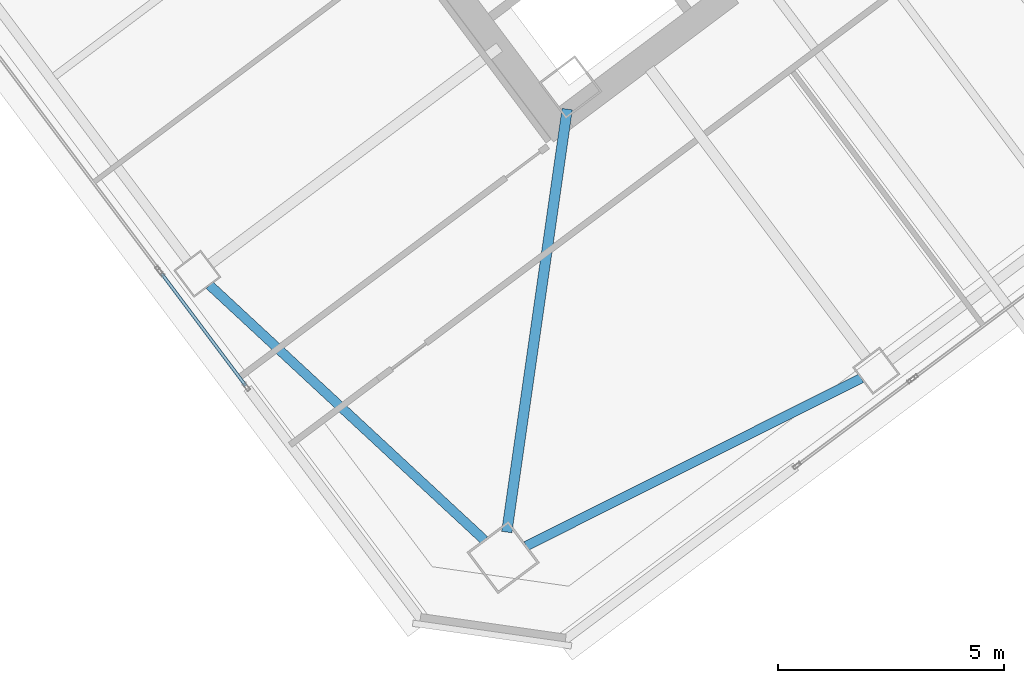
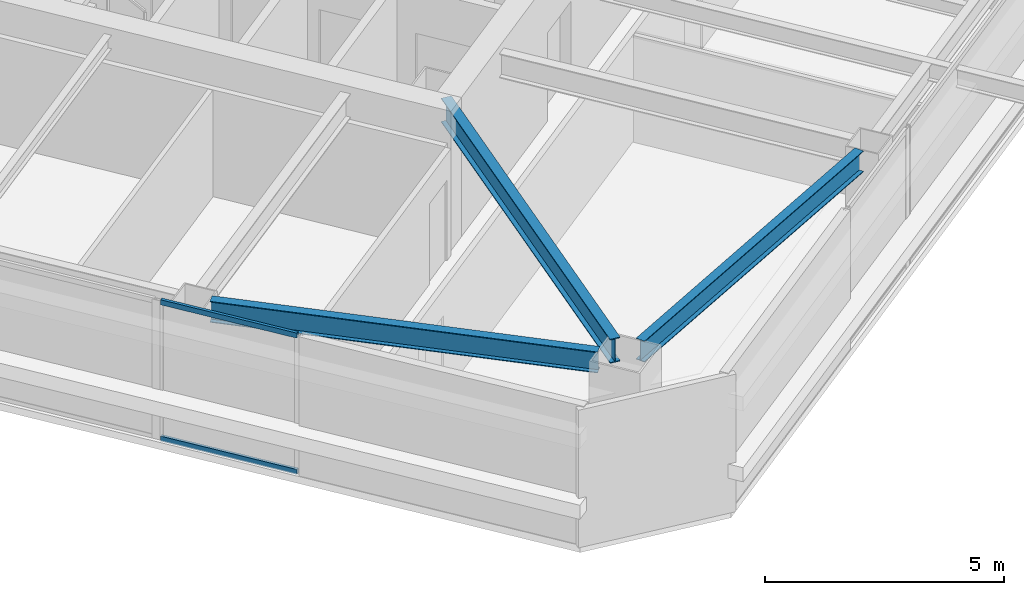
# One storey, part 18 of 42: 3 beams, 2 members, 1 element without a shape of its own.
"""IFC4 building model written with IfcOpenShell, lengths in metres."""

from ifc_helpers import new_model, si_unit, direction, frame, origin, origin_2d, place, context, subcontext, project, spatial, hollow_rectangle, i_section, extrude, material, material_profile, profile_set, type_object, element, aggregate, save


model = new_model("IFC4")

# Units and contexts
model_context = context("Model", 3, precision=1e-05, world=origin(), true_north=direction((0.0, 1.0)))
body_context = subcontext(model_context, "Body", "Model", "MODEL_VIEW")
ifc_project = project(units=[si_unit("LENGTHUNIT", "METRE"), si_unit("AREAUNIT", "SQUARE_METRE"), si_unit("VOLUMEUNIT", "CUBIC_METRE"), si_unit("PLANEANGLEUNIT", "RADIAN"), si_unit("MASSUNIT", "GRAM", prefix="KILO")], contexts=[model_context])

# Site, building, storey
site_placement = place(None, origin())
site = spatial("IfcSite", under=ifc_project, at=site_placement, CompositionType="ELEMENT")
building_placement = place(site_placement, origin())
building = spatial("IfcBuilding", under=site, at=building_placement, Name="Tashvorn Skyway Center", CompositionType="ELEMENT")
storey_placement = place(building_placement, frame((0.0, 0.0, 164.10009765625)))
storey = spatial("IfcBuildingStorey", under=building, at=storey_placement, Name="L44", CompositionType="ELEMENT", Elevation=164.10009765625)

# Beams
ifc_material_1 = material(Name="Steel ASTM A992 Grade 50", Category="steel")
ifc_material_profile_1 = material_profile(ifc_material_1, i_section(OverallWidth=0.22998046875, OverallDepth=0.616943359375, WebThickness=0.01318359375, FlangeThickness=0.022216796875, at=origin_2d()), Name="W24X94")
ifc_profile_set_1 = profile_set([ifc_material_profile_1], Name="Steel ASTM A992 Grade 50")
beam_type_1 = type_object("IfcBeamType", Name="BM-BEAM-W24X94", PredefinedType="BEAM", material=ifc_profile_set_1)
beam_placement = place(storey_placement, frame((111.1806640625, 12.26416015625, 3.0615234375), z_axis=(0.141417747326, 0.989950009213, 0.0), x_axis=(-0.989950009213, 0.141417747326, 0.0)))
element("IfcBeam", 1, at=beam_placement, inside=storey, type_object=beam_type_1, Name="Tower 2 L44 Primary Floor Girder MC-SW", PredefinedType="BEAM", context=body_context, shape_type="SweptSolid", body=[
    extrude(i_section(OverallWidth=0.22998046875, OverallDepth=0.616943359375, WebThickness=0.01318359375, FlangeThickness=0.022216796875, at=origin_2d()), origin(), (0.0, 0.0, 1.0), 9.470947265625),
])
ifc_material_profile_2 = material_profile(ifc_material_1, i_section(OverallWidth=0.2109375, OverallDepth=0.5390625, WebThickness=0.01171875, FlangeThickness=0.018798828125, at=origin_2d()), Name="W21X73")
ifc_profile_set_2 = profile_set([ifc_material_profile_2], Name="Steel ASTM A992 Grade 50")
beam_type_2 = type_object("IfcBeamType", Name="BM-SPANDREL-W21X73", PredefinedType="SPANDREL", material=ifc_profile_set_2)
for number, where, z_axis, x_axis, name in (
    (2, (111.609619140625, 11.955078125, 3.100341796875), (0.894209637559, 0.447648438059, 0.0), (-0.447648438059, 0.894209637559, 0.0), "Tower 2 L44 Spandrel Beam 01"),
    (3, (104.59130859375, 17.73828125, 3.100341796875), (0.733101115618, -0.680119661736, 0.0), (0.680119661736, 0.733101115618, 0.0), "Tower 2 L44 Spandrel Beam 12"),
):
    element("IfcBeam", number, at=place(storey_placement, frame(where, z_axis=z_axis, x_axis=x_axis)), inside=storey, type_object=beam_type_2, Name=name, PredefinedType="SPANDREL", context=body_context, shape_type="SweptSolid", body=[
        extrude(i_section(OverallWidth=0.2109375, OverallDepth=0.5390625, WebThickness=0.01171875, FlangeThickness=0.018798828125, at=origin_2d()), origin(), (0.0, 0.0, 1.0), 8.308349609375),
    ])

# Curtain wall, members
ifc_material_2 = material(Name="Thermally broken bronze-anodized aluminium 6063-T6", Category="aluminium")
curtain_wall_type = type_object("IfcCurtainWallType", Name="CW-CW-Z4", PredefinedType="NOTDEFINED", material=ifc_material_2)
curtain_wall_placement = place(storey_placement, origin())
curtain_wall = element("IfcCurtainWall", 4, at=curtain_wall_placement, inside=storey, type_object=curtain_wall_type, Name="Tower 2 L44 West Unitised Curtain Wall Glazing Group 1", PredefinedType="NOTDEFINED")
ifc_material_profile_3 = material_profile(ifc_material_2, hollow_rectangle(XDim=0.070068359375, YDim=0.1298828125, WallThickness=0.00390625, at=origin_2d()), Name="ALU-TRAN-70x130")
ifc_profile_set_3 = profile_set([ifc_material_profile_3], Name="Thermally broken bronze-anodized aluminium 6063-T6")
member_type = type_object("IfcMemberType", Name="CWT-CW-Z4", PredefinedType="USERDEFINED", material=ifc_profile_set_3)
member_1_placement = place(storey_placement, frame((105.39404296875, 15.508056640625, 0.034912109375), z_axis=(-0.600025200918, 0.799981098691, 0.0), x_axis=(-0.799981098691, -0.600025200918, 0.0)))
member_1 = element("IfcMember", 5, at=member_1_placement, type_object=member_type, Name="CW-Z4 transom 1.1", ObjectType="TRANSOM", PredefinedType="USERDEFINED", context=body_context, shape_type="SweptSolid", body=[
    extrude(hollow_rectangle(XDim=0.070068359375, YDim=0.1298828125, WallThickness=0.00390625, at=origin_2d()), origin(), (0.0, 0.0, 1.0), 3.10009765625),
])
member_2_placement = place(storey_placement, frame((105.39404296875, 15.508056640625, 3.514892578125), z_axis=(-0.600025200918, 0.799981098691, 0.0), x_axis=(-0.799981098691, -0.600025200918, 0.0)))
member_2 = element("IfcMember", 6, at=member_2_placement, type_object=member_type, Name="CW-Z4 transom 1.2", ObjectType="TRANSOM", PredefinedType="USERDEFINED", context=body_context, shape_type="SweptSolid", body=[
    extrude(hollow_rectangle(XDim=0.070068359375, YDim=0.1298828125, WallThickness=0.00390625, at=origin_2d()), origin(), (0.0, 0.0, 1.0), 3.10009765625),
])
aggregate(curtain_wall, [member_1, member_2])

save(model, "model.ifc")
